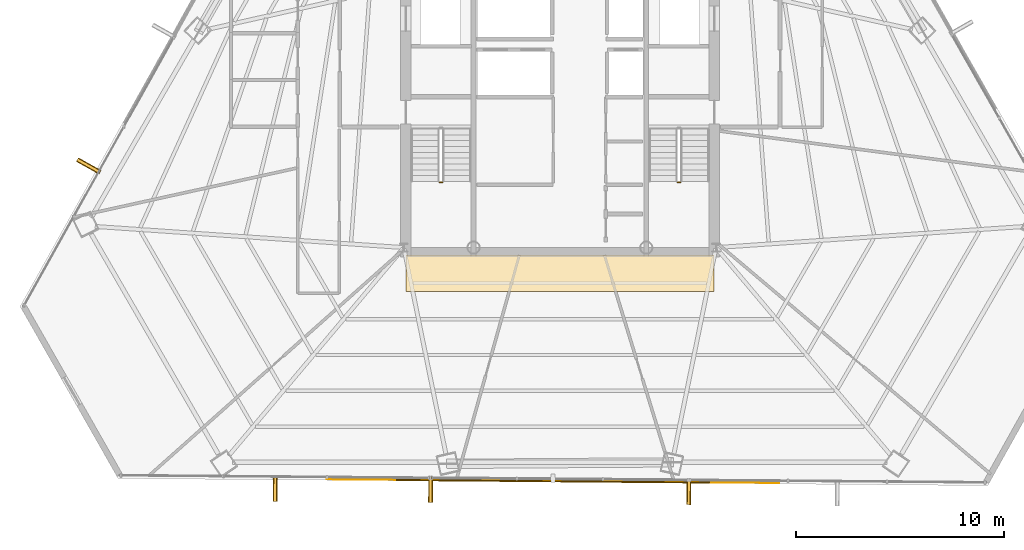
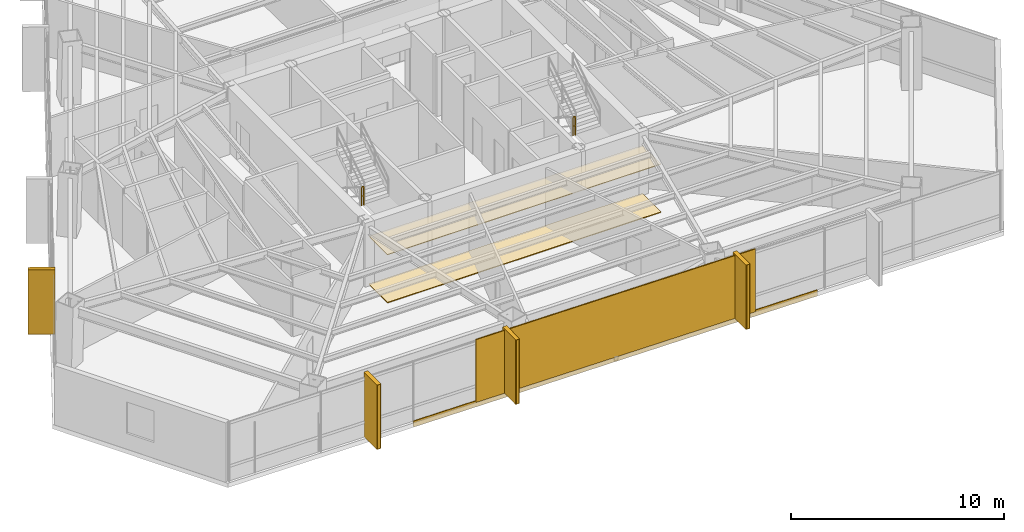
# One storey, part 37 of 39: 7 coverings, 5 shading devices, 2 railings.
"""IFC4 building model written with IfcOpenShell, lengths in metres."""

from ifc_helpers import new_model, si_unit, direction, frame, origin, origin_2d, place, context, subcontext, project, spatial, polyline, rectangle, outline, extrude, source, transform, mapped, material, layer, layer_set, type_object, type_shapes, element, save


model = new_model("IFC4")

# Units and contexts
model_context = context("Model", 3, precision=1e-05, world=origin(), true_north=direction((0.0, 1.0)))
body_context = subcontext(model_context, "Body", "Model", "MODEL_VIEW")
ifc_project = project(units=[si_unit("LENGTHUNIT", "METRE"), si_unit("AREAUNIT", "SQUARE_METRE"), si_unit("VOLUMEUNIT", "CUBIC_METRE"), si_unit("PLANEANGLEUNIT", "RADIAN"), si_unit("MASSUNIT", "GRAM", prefix="KILO")], contexts=[model_context])

# Site, building, storey
site_placement = place(None, origin())
site = spatial("IfcSite", under=ifc_project, at=site_placement, CompositionType="ELEMENT")
building_placement = place(site_placement, origin())
building = spatial("IfcBuilding", under=site, at=building_placement, Name="Caelisora Broadcast Tower", CompositionType="ELEMENT")
storey_placement = place(building_placement, frame((0.0, 0.0, 139.10009765625)))
storey = spatial("IfcBuildingStorey", under=building, at=storey_placement, Name="L36", CompositionType="ELEMENT", Elevation=139.10009765625)

# Coverings
ifc_material_1 = material(Name="Perforated Mineral-Fibre Acoustic Ceiling Tile", Category="gypsum")
ifc_layer_1 = layer(ifc_material_1, 0.034912109375, Name="Perforated Mineral-Fibre Acoustic Ceiling Tile")
ifc_layer_set_1 = layer_set([ifc_layer_1], Name="Perforated Mineral-Fibre Acoustic Ceiling Tile")
covering_type_1 = type_object("IfcCoveringType", Name="CE-1", PredefinedType="CEILING", material=ifc_layer_set_1)
covering_1_placement = place(storey_placement, frame((0.0, 0.0, 2.75)))
element("IfcCovering", 1, at=covering_1_placement, inside=storey, type_object=covering_type_1, Name="L36 acoustic corridor ceiling CE-1 (S)", PredefinedType="CEILING", context=body_context, shape_type="SweptSolid", body=[
    extrude(outline(polyline([(30.60009765625, 15.300048828125), (45.39990234375, 15.300048828125), (45.39990234375, 17.050048828125), (30.60009765625, 17.050048828125), (30.60009765625, 15.300048828125)])), origin(), (0.0, 0.0, 1.0), 0.034912109375),
])
ifc_material_2 = material(Name="Anti-Static Broadcast Raised Access Floor Panel", Category="steel")
ifc_layer_2 = layer(ifc_material_2, 0.044921875, Name="Anti-Static Broadcast Raised Access Floor Panel")
ifc_layer_set_2 = layer_set([ifc_layer_2], Name="Anti-Static Broadcast Raised Access Floor Panel")
covering_type_2 = type_object("IfcCoveringType", Name="FL-1", PredefinedType="FLOORING", material=ifc_layer_set_2)
covering_2_placement = place(storey_placement, origin())
element("IfcCovering", 2, at=covering_2_placement, inside=storey, type_object=covering_type_2, Name="L36 broadcast raised access floor FL-1 (S)", PredefinedType="FLOORING", context=body_context, shape_type="SweptSolid", body=[
    extrude(outline(polyline([(30.60009765625, 15.300048828125), (45.39990234375, 15.300048828125), (45.39990234375, 17.050048828125), (30.60009765625, 17.050048828125), (30.60009765625, 15.300048828125)])), origin(), (0.0, 0.0, 1.0), 0.044921875),
])

# Railings
ifc_material_3 = material(Name="Galvanised Steel Safety Guardrail", Category="steel")
ifc_layer_3 = layer(ifc_material_3, 0.048095703125, Name="Galvanised Steel Safety Guardrail")
ifc_layer_set_3 = layer_set([ifc_layer_3], Name="Galvanised Steel Safety Guardrail")
railing_type = type_object("IfcRailingType", Name="GR-1", PredefinedType="GUARDRAIL", material=ifc_layer_set_3)
for number, where, name in (
    (3, (32.219970703125, 20.530029296875, 1.824951171875), "L36 ST-1 stair guard 2"),
    (4, (43.659912109375, 20.530029296875, 1.824951171875), "L36 ST-2 stair guard 2"),
):
    element("IfcRailing", number, at=place(storey_placement, frame(where)), inside=storey, type_object=railing_type, Name=name, PredefinedType="GUARDRAIL", context=body_context, shape_type="SweptSolid", body=[
        extrude(rectangle(XDim=0.048095703125, YDim=0.048095703125, at=origin_2d()), frame((0.0, 0.0, 1.076171875), z_axis=(1.0, 0.0, 0.0), x_axis=(0.0, 1.0, 0.0)), (0.0, 0.0, 1.0), 0.1201171875),
        extrude(rectangle(XDim=0.03125, YDim=0.03125, at=origin_2d()), frame((0.0, 0.0, 0.550048828125), z_axis=(1.0, 0.0, 0.0), x_axis=(0.0, 1.0, 0.0)), (0.0, 0.0, 1.0), 0.1201171875),
        extrude(rectangle(XDim=0.0419921875, YDim=0.0419921875, at=origin_2d()), origin(), (0.0, 0.0, 1.0), 1.052001953125),
        extrude(rectangle(XDim=0.0419921875, YDim=0.0419921875, at=origin_2d()), frame((0.1201171875, 0.0, 0.0)), (0.0, 0.0, 1.0), 1.052001953125),
    ])

# Coverings
ifc_material_4 = material(Name="Kiln-Fired Terracotta Spandrel Rainscreen Cladding", Category="ceramic")
ifc_layer_4 = layer(ifc_material_4, 0.044921875, Name="Kiln-Fired Terracotta Spandrel Rainscreen Cladding")
ifc_layer_set_4 = layer_set([ifc_layer_4], Name="Kiln-Fired Terracotta Spandrel Rainscreen Cladding")
covering_type_3 = type_object("IfcCoveringType", Name="CL-1", PredefinedType="CLADDING", material=ifc_layer_set_4)
shared_shape_1 = source(origin(), body_context, "Body", "SweptSolid", [
    extrude(rectangle(XDim=0.219970703125, YDim=1.25, at=origin_2d()), origin(), (0.0, 0.0, 1.0), 3.68994140625),
])
for number, where, z_axis, x_axis, name in (
    (5, (44.192138671875, 5.669677734375, -0.02001953125), (0.0, 0.0, 1.0), (-0.999966355195, 0.008202955488, 0.0), "L36 vertical solar fin cladding #2-2"),
    (6, (31.786865234375, 5.77099609375, -0.02001953125), (0.0, 0.0, 1.0), (-0.999966355195, 0.008202955488, 0.0), "L36 vertical solar fin cladding #2-3"),
    (7, (24.319091796875, 5.83203125, -0.02001953125), (0.0, 0.0, 1.0), (-0.999966355195, 0.008202955488, 0.0), "L36 vertical solar fin cladding #2-4"),
    (8, (15.360595703125, 21.3212890625, -0.02001953125), (0.0, 0.0, 1.0), (0.487859659139, 0.87292207727, 0.0), "L36 vertical solar fin cladding #3-1"),
):
    element("IfcCovering", number, at=place(storey_placement, frame(where, z_axis=z_axis, x_axis=x_axis)), inside=storey, type_object=covering_type_3, Name=name, PredefinedType="CLADDING", context=body_context, shape_type="MappedRepresentation", body=[
        mapped(shared_shape_1, transform((0.0, 0.0, 0.0), scale=1.0)),
    ])

# Shading devices
ifc_material_5 = material(Name="Extruded Terracotta Flaring Colonnade Fin", Category="ceramic")
ifc_layer_5 = layer(ifc_material_5, 0.139892578125, Name="Extruded Terracotta Flaring Colonnade Fin")
ifc_layer_set_5 = layer_set([ifc_layer_5], Name="Extruded Terracotta Flaring Colonnade Fin")
shading_device_type_1 = type_object("IfcShadingDeviceType", Name="FN-1", PredefinedType="USERDEFINED", material=ifc_layer_set_5)
shared_shape_2 = source(origin(), body_context, "Body", "SweptSolid", [
    extrude(rectangle(XDim=0.139892578125, YDim=1.25, at=origin_2d()), origin(), (0.0, 0.0, 1.0), 3.669921875),
])
type_shapes(shading_device_type_1, [shared_shape_2])
for number, where, z_axis, x_axis, name in (
    (9, (44.192138671875, 5.669677734375, -0.010009765625), (0.0, 0.0, 1.0), (-0.999966355195, 0.008202955488, 0.0), "L36 vertical terracotta fin #2-2"),
    (10, (31.786865234375, 5.77099609375, -0.010009765625), (0.0, 0.0, 1.0), (-0.999966355195, 0.008202955488, 0.0), "L36 vertical terracotta fin #2-3"),
    (11, (24.319091796875, 5.83203125, -0.010009765625), (0.0, 0.0, 1.0), (-0.999966355195, 0.008202955488, 0.0), "L36 vertical terracotta fin #2-4"),
    (12, (15.360595703125, 21.3212890625, -0.010009765625), (0.0, 0.0, 1.0), (0.487859659139, 0.87292207727, 0.0), "L36 vertical terracotta fin #3-1"),
):
    element("IfcShadingDevice", number, at=place(storey_placement, frame(where, z_axis=z_axis, x_axis=x_axis)), inside=storey, type_object=shading_device_type_1, Name=name, ObjectType="FIN", PredefinedType="USERDEFINED", context=body_context, shape_type="MappedRepresentation", body=[
        mapped(shared_shape_2, transform((0.0, 0.0, 0.0), scale=1.0)),
    ])
ifc_material_6 = material(Name="Perforated Glazed Terracotta Baguette Solar Screen", Category="ceramic")
ifc_layer_6 = layer(ifc_material_6, 0.06494140625, Name="Perforated Glazed Terracotta Baguette Solar Screen")
ifc_layer_set_6 = layer_set([ifc_layer_6], Name="Perforated Glazed Terracotta Baguette Solar Screen")
shading_device_type_2 = type_object("IfcShadingDeviceType", Name="SS-1", PredefinedType="USERDEFINED", material=ifc_layer_set_6)
shared_shape_3 = source(origin(), body_context, "Body", "SweptSolid", [
    extrude(rectangle(XDim=15.0458984375, YDim=0.06494140625, at=origin_2d()), origin(), (0.0, 0.0, 1.0), 3.590087890625),
])
type_shapes(shading_device_type_2, [shared_shape_3])
shading_device_placement = place(storey_placement, frame((37.664794921875, 6.173095703125, 0.0), z_axis=(0.0, 0.0, 1.0), x_axis=(0.999966355195, -0.008202955488, 0.0)))
element("IfcShadingDevice", 13, at=shading_device_placement, inside=storey, type_object=shading_device_type_2, Name="L36 perforated terracotta solar screen #2", ObjectType="SOLAR SCREEN", PredefinedType="USERDEFINED", context=body_context, shape_type="MappedRepresentation", body=[
    mapped(shared_shape_3, transform((0.0, 0.0, 0.0), scale=1.0)),
])

# Covering
shared_shape_4 = source(origin(), body_context, "Body", "SweptSolid", [
    extrude(rectangle(XDim=21.73291015625, YDim=0.044921875, at=origin_2d()), origin(), (0.0, 0.0, 1.0), 0.340087890625),
])
type_shapes(covering_type_3, [shared_shape_1, shared_shape_4])
covering_3_placement = place(storey_placement, frame((37.6650390625, 6.193115234375, -0.27001953125), z_axis=(0.0, 0.0, 1.0), x_axis=(0.999966355195, -0.008202955488, 0.0)))
element("IfcCovering", 14, at=covering_3_placement, inside=storey, type_object=covering_type_3, Name="L36 terracotta spandrel rainscreen #2", PredefinedType="CLADDING", context=body_context, shape_type="MappedRepresentation", body=[
    mapped(shared_shape_4, transform((0.0, 0.0, 0.0), scale=1.0)),
])

save(model, "model.ifc")
